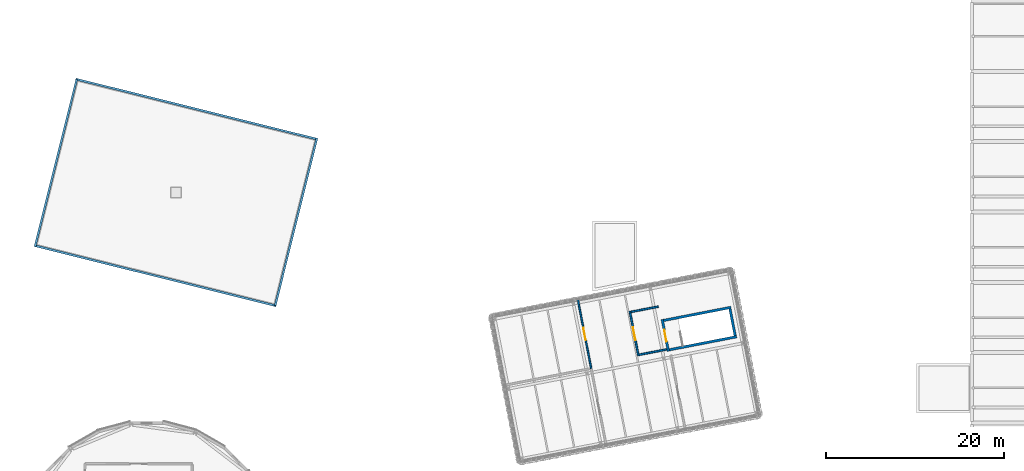
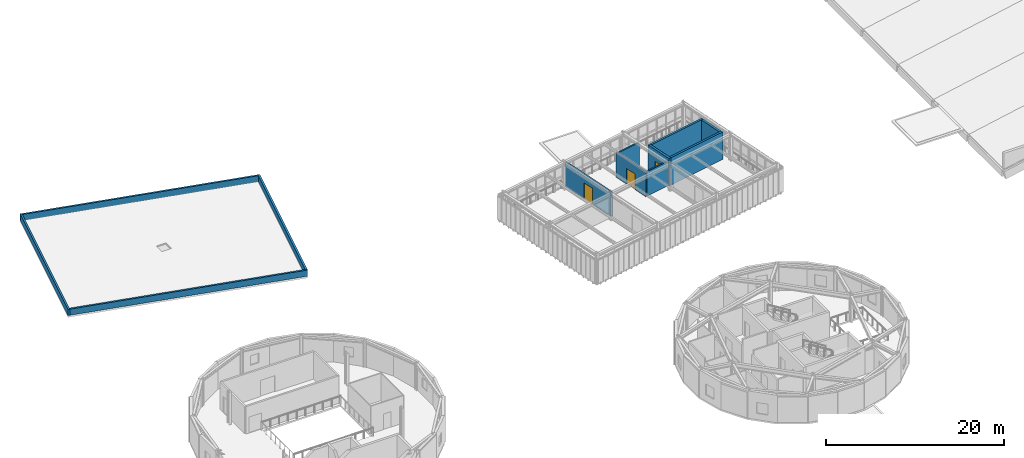
# One storey, part 30 of 44: 12 walls, 3 doors, 3 openings.
"""IFC4 building model written with IfcOpenShell, lengths in metres."""

from ifc_helpers import new_model, si_unit, direction, frame, frame_2d, origin, place, context, subcontext, project, spatial, rectangle, extrude, material, layer, layer_set, type_object, element, fill, save


model = new_model("IFC4")

# Units and contexts
model_context = context("Model", 3, precision=1e-05, world=origin(), true_north=direction((0.0, 1.0)))
body_context = subcontext(model_context, "Body", "Model", "MODEL_VIEW")
ifc_project = project(units=[si_unit("LENGTHUNIT", "METRE"), si_unit("AREAUNIT", "SQUARE_METRE"), si_unit("VOLUMEUNIT", "CUBIC_METRE"), si_unit("PLANEANGLEUNIT", "RADIAN"), si_unit("MASSUNIT", "GRAM", prefix="KILO")], contexts=[model_context])

# Site, building, storey
site_placement = place(None, origin())
site = spatial("IfcSite", under=ifc_project, at=site_placement, CompositionType="ELEMENT")
building_placement = place(site_placement, origin())
building = spatial("IfcBuilding", under=site, at=building_placement, Name="Varnklinge Art Gallery", CompositionType="ELEMENT")
storey_placement = place(building_placement, frame((0.0, 0.0, 13.679931640625)))
storey = spatial("IfcBuildingStorey", under=building, at=storey_placement, Name="L03", CompositionType="ELEMENT", Elevation=13.679931640625)

# Wall, opening, door
ifc_material_1 = material(Name="Gypsum Board Partition", Category="gypsum")
ifc_layer_1 = layer(ifc_material_1, 0.179931640625)
ifc_layer_set_1 = layer_set([ifc_layer_1], Name="Gypsum Board Partition")
wall_type_1 = type_object("IfcWallType", Name="IW-18", PredefinedType="PARTITIONING", material=ifc_layer_set_1)
wall_1_placement = place(storey_placement, frame((71.650634765625, 72.23046875, 0.0), z_axis=(0.0, 0.0, 1.0), x_axis=(-0.190786732806, 0.981631510591, 0.0)))
wall_1 = element("IfcWall", 1, at=wall_1_placement, inside=storey, type_object=wall_type_1, Name="L03 Partition Wall IW-L03-0343", PredefinedType="PARTITIONING", context=body_context, shape_type="SweptSolid", body=[
    extrude(rectangle(XDim=7.880126953125, YDim=0.179931640625, at=frame_2d((3.93994140625, 0.0))), origin(), (0.0, 0.0, 1.0), 3.35009765625),
])
opening_1_placement = place(wall_1_placement, frame((3.22998046875, 0.0, 0.0)))
opening_1 = element("IfcOpeningElement", 2, at=opening_1_placement, cuts=wall_1, Name="Opening D-L03-257", PredefinedType="OPENING", context=body_context, shape_type="SweptSolid", body=[
    extrude(rectangle(XDim=1.419921875, YDim=2.179931640625, at=frame_2d((0.7099609375, 1.08984375))), frame((0.0, 0.099853515625, 0.0), z_axis=(0.0, -1.0, 0.0), x_axis=(1.0, 0.0, 0.0)), (0.0, 0.0, 1.0), 0.199951171875),
])
ifc_material_2 = material(Name="Oak Timber Leaf", Category="wood")
door_type_1 = type_object("IfcDoorType", Name="ID-07", OperationType="DOUBLE_DOOR_SINGLE_SWING", PredefinedType="DOOR", material=ifc_material_2)
door_1_placement = place(opening_1_placement, origin())
door_1 = element("IfcDoor", 3, at=door_1_placement, inside=storey, type_object=door_type_1, Name="L03 L03 Lattice North Daylight Gallery Door D-L03-257", OperationType="DOUBLE_DOOR_SINGLE_SWING", OverallHeight=2.179931640625, OverallWidth=1.419921875, PredefinedType="DOOR", context=body_context, shape_type="SweptSolid", body=[
    extrude(rectangle(XDim=1.419921875, YDim=2.179931640625, at=frame_2d((0.7099609375, 1.08984375))), frame((0.0, 0.02490234375, 0.0), z_axis=(0.0, -1.0, 0.0), x_axis=(1.0, 0.0, 0.0)), (0.0, 0.0, 1.0), 0.050048828125),
])
fill(opening_1, door_1)

# Walls
ifc_material_3 = material(Name="Concrete C40/50", Category="concrete")
ifc_layer_2 = layer(ifc_material_3, 0.199951171875)
ifc_layer_set_2 = layer_set([ifc_layer_2], Name="Concrete C40/50")
wall_type_2 = type_object("IfcWallType", Name="IW-20", PredefinedType="PARTITIONING", material=ifc_layer_set_2)
for number, where, z_axis, x_axis, name in (
    (4, (77.03662109375, 73.7666015625, 0.0), (0.0, 0.0, 1.0), (0.981639181901, 0.190747258323, 0.0), "L03 Core C8 Lobby South Wall"),
    (5, (79.193603515625, 79.177490234375, 0.0), (0.0, 0.0, 1.0), (-0.981624666284, -0.190821944603, 0.0), "L03 Core C8 Lobby North Wall"),
):
    element("IfcWall", number, at=place(storey_placement, frame(where, z_axis=z_axis, x_axis=x_axis)), inside=storey, type_object=wall_type_2, Name=name, PredefinedType="PARTITIONING", context=body_context, shape_type="SweptSolid", body=[
        extrude(rectangle(XDim=3.14990234375, YDim=0.199951171875, at=frame_2d((1.574951171875, 0.0))), origin(), (0.0, 0.0, 1.0), 3.35009765625),
    ])

# Wall, opening, door
wall_2_placement = place(storey_placement, frame((76.95751953125, 73.649169921875, 0.0), z_axis=(0.0, 0.0, 1.0), x_axis=(-0.190810719655, 0.98162684828, 0.0)))
wall_2 = element("IfcWall", 6, at=wall_2_placement, inside=storey, type_object=wall_type_2, Name="L03 Core C8 Lobby Corridor Wall", PredefinedType="PARTITIONING", context=body_context, shape_type="SweptSolid", body=[
    extrude(rectangle(XDim=5.10009765625, YDim=0.199951171875, at=frame_2d((2.550048828125, 0.0))), origin(), (0.0, 0.0, 1.0), 3.41015625),
])
opening_2_placement = place(wall_2_placement, frame((1.81005859375, 0.0, 0.0)))
opening_2 = element("IfcOpeningElement", 7, at=opening_2_placement, cuts=wall_2, Name="Opening D-L03-115", PredefinedType="OPENING", context=body_context, shape_type="SweptSolid", body=[
    extrude(rectangle(XDim=1.47998046875, YDim=2.14990234375, at=frame_2d((0.739990234375, 1.074951171875))), frame((0.0, 0.110107421875, 0.0), z_axis=(0.0, -1.0, 0.0), x_axis=(1.0, 0.0, 0.0)), (0.0, 0.0, 1.0), 0.219970703125),
])
ifc_material_4 = material(Name="Galvanised Fire-Rated Steel", Category="steel")
door_type_2 = type_object("IfcDoorType", Name="ID-LB1", OperationType="DOUBLE_DOOR_SINGLE_SWING", PredefinedType="DOOR", material=ifc_material_4)
door_2_placement = place(opening_2_placement, origin())
door_2 = element("IfcDoor", 8, at=door_2_placement, inside=storey, type_object=door_type_2, Name="L03 Core C8 Protected Lobby Door D-L03-115", OperationType="DOUBLE_DOOR_SINGLE_SWING", OverallHeight=2.14990234375, OverallWidth=1.47998046875, PredefinedType="DOOR", context=body_context, shape_type="SweptSolid", body=[
    extrude(rectangle(XDim=1.47998046875, YDim=2.14990234375, at=frame_2d((0.739990234375, 1.074951171875))), frame((0.0, 0.02490234375, 0.0), z_axis=(0.0, -1.0, 0.0), x_axis=(1.0, 0.0, 0.0)), (0.0, 0.0, 1.0), 0.050048828125),
])
fill(opening_2, door_2)

# Walls
ifc_material_5 = material(Name="Concrete C40/50", Category="concrete")
ifc_layer_3 = layer(ifc_material_5, 0.22998046875)
ifc_layer_set_3 = layer_set([ifc_layer_3], Name="Concrete C40/50")
wall_type_3 = type_object("IfcWallType", Name="PW-23", PredefinedType="PARAPET", material=ifc_layer_set_3)
wall_3_placement = place(storey_placement, frame((9.168701171875, 85.898681640625, 0.0), z_axis=(0.0, 0.0, 1.0), x_axis=(0.241922164483, 0.970295659236, 0.0)))
element("IfcWall", 9, at=wall_3_placement, inside=storey, type_object=wall_type_3, Name="L03 Exterior Wall PAR-SLB-V5-L03-ROOF-01", PredefinedType="PARAPET", context=body_context, shape_type="SweptSolid", body=[
    extrude(rectangle(XDim=19.38525390625, YDim=0.22998046875, at=frame_2d((9.692626953125, 0.0))), origin(), (0.0, 0.0, 1.0), 0.85009765625),
])
wall_4_placement = place(storey_placement, frame((13.746826171875, 104.735595703125, 0.0), z_axis=(0.0, 0.0, 1.0), x_axis=(0.970296808498, -0.241917555003, 0.0)))
element("IfcWall", 10, at=wall_4_placement, inside=storey, type_object=wall_type_3, Name="L03 Exterior Wall PAR-SLB-V5-L03-ROOF-02", PredefinedType="PARAPET", context=body_context, shape_type="SweptSolid", body=[
    extrude(rectangle(XDim=27.885009765625, YDim=0.22998046875, at=frame_2d((13.9423828125, 0.0))), origin(), (0.0, 0.0, 1.0), 0.85009765625),
])
wall_5_placement = place(storey_placement, frame((40.831298828125, 98.101318359375, 0.0), z_axis=(0.0, 0.0, 1.0), x_axis=(-0.241922164483, -0.970295659236, 0.0)))
element("IfcWall", 11, at=wall_5_placement, inside=storey, type_object=wall_type_3, Name="L03 Exterior Wall PAR-SLB-V5-L03-ROOF-03", PredefinedType="PARAPET", context=body_context, shape_type="SweptSolid", body=[
    extrude(rectangle(XDim=19.38525390625, YDim=0.22998046875, at=frame_2d((9.692626953125, 0.0))), origin(), (0.0, 0.0, 1.0), 0.85009765625),
])
wall_6_placement = place(storey_placement, frame((36.253173828125, 79.264404296875, 0.0), z_axis=(0.0, 0.0, 1.0), x_axis=(-0.970296808498, 0.241917555003, 0.0)))
element("IfcWall", 12, at=wall_6_placement, inside=storey, type_object=wall_type_3, Name="L03 Exterior Wall PAR-SLB-V5-L03-ROOF-04", PredefinedType="PARAPET", context=body_context, shape_type="SweptSolid", body=[
    extrude(rectangle(XDim=27.885009765625, YDim=0.22998046875, at=frame_2d((13.9423828125, 0.0))), origin(), (0.0, 0.0, 1.0), 0.85009765625),
])
ifc_material_6 = material(Name="Concrete C40/50", Category="concrete")
ifc_layer_4 = layer(ifc_material_6, 0.280029296875)
ifc_layer_set_4 = layer_set([ifc_layer_4], Name="Concrete C40/50")
wall_type_4 = type_object("IfcWallType", Name="SW-28", PredefinedType="SHEAR", material=ifc_layer_set_4)
wall_7_placement = place(storey_placement, frame((80.432373046875, 74.32470703125, 0.0), z_axis=(0.0, 0.0, 1.0), x_axis=(0.981627268792, 0.190808556318, 0.0)))
element("IfcWall", 13, at=wall_7_placement, inside=storey, type_object=wall_type_4, Name="L03 Core C8 South Shear Wall", PredefinedType="SHEAR", context=body_context, shape_type="SweptSolid", body=[
    extrude(rectangle(XDim=7.699951171875, YDim=0.280029296875, at=frame_2d((3.85009765625, 0.0))), origin(), (0.0, 0.0, 1.0), 3.760009765625),
])
wall_8_placement = place(storey_placement, frame((87.826904296875, 75.904541015625, 0.0), z_axis=(0.0, 0.0, 1.0), x_axis=(-0.190869659102, 0.981615389669, 0.0)))
element("IfcWall", 14, at=wall_8_placement, inside=storey, type_object=wall_type_4, Name="L03 Core C8 East Shear Wall", PredefinedType="SHEAR", context=body_context, shape_type="SweptSolid", body=[
    extrude(rectangle(XDim=3.080078125, YDim=0.280029296875, at=frame_2d((1.5400390625, 0.0))), origin(), (0.0, 0.0, 1.0), 3.760009765625),
])
wall_9_placement = place(storey_placement, frame((87.349853515625, 79.09228515625, 0.0), z_axis=(0.0, 0.0, 1.0), x_axis=(-0.98162132967, -0.190839107987, 0.0)))
element("IfcWall", 15, at=wall_9_placement, inside=storey, type_object=wall_type_4, Name="L03 Core C8 Dividing Shear Wall", PredefinedType="SHEAR", context=body_context, shape_type="SweptSolid", body=[
    extrude(rectangle(XDim=7.7001953125, YDim=0.280029296875, at=frame_2d((3.85009765625, 0.0))), origin(), (0.0, 0.0, 1.0), 3.760009765625),
])

# Wall, opening, door
wall_10_placement = place(storey_placement, frame((79.627197265625, 77.733642578125, 0.0), z_axis=(0.0, 0.0, 1.0), x_axis=(0.190812213529, -0.981626557897, 0.0)))
wall_10 = element("IfcWall", 16, at=wall_10_placement, inside=storey, type_object=wall_type_4, Name="L03 Core C8 Front Shear Wall", PredefinedType="SHEAR", context=body_context, shape_type="SweptSolid", body=[
    extrude(rectangle(XDim=3.64013671875, YDim=0.280029296875, at=frame_2d((1.820068359375, 0.0))), origin(), (0.0, 0.0, 1.0), 3.760009765625),
])
opening_3_placement = place(wall_10_placement, frame((1.199951171875, 0.0, 0.0)))
opening_3 = element("IfcOpeningElement", 17, at=opening_3_placement, cuts=wall_10, Name="Opening D-L03-114", PredefinedType="OPENING", context=body_context, shape_type="SweptSolid", body=[
    extrude(rectangle(XDim=1.320068359375, YDim=2.1201171875, at=frame_2d((0.66015625, 1.06005859375))), frame((0.0, 0.150146484375, 0.0), z_axis=(0.0, -1.0, 0.0), x_axis=(1.0, 0.0, 0.0)), (0.0, 0.0, 1.0), 0.300048828125),
])
ifc_material_7 = material(Name="Galvanised Fire-Rated Steel", Category="steel")
door_type_3 = type_object("IfcDoorType", Name="ID-ST1", OperationType="SINGLE_SWING_LEFT", PredefinedType="DOOR", material=ifc_material_7)
door_3_placement = place(opening_3_placement, origin())
door_3 = element("IfcDoor", 18, at=door_3_placement, inside=storey, type_object=door_type_3, Name="L03 Stair ST-10 Fire Door D-L03-114", OperationType="SINGLE_SWING_LEFT", OverallHeight=2.1201171875, OverallWidth=1.320068359375, PredefinedType="DOOR", context=body_context, shape_type="SweptSolid", body=[
    extrude(rectangle(XDim=1.320068359375, YDim=2.1201171875, at=frame_2d((0.66015625, 1.06005859375))), frame((0.0, 0.02490234375, 0.0), z_axis=(0.0, -1.0, 0.0), x_axis=(1.0, 0.0, 0.0)), (0.0, 0.0, 1.0), 0.050048828125),
])
fill(opening_3, door_3)

save(model, "model.ifc")
